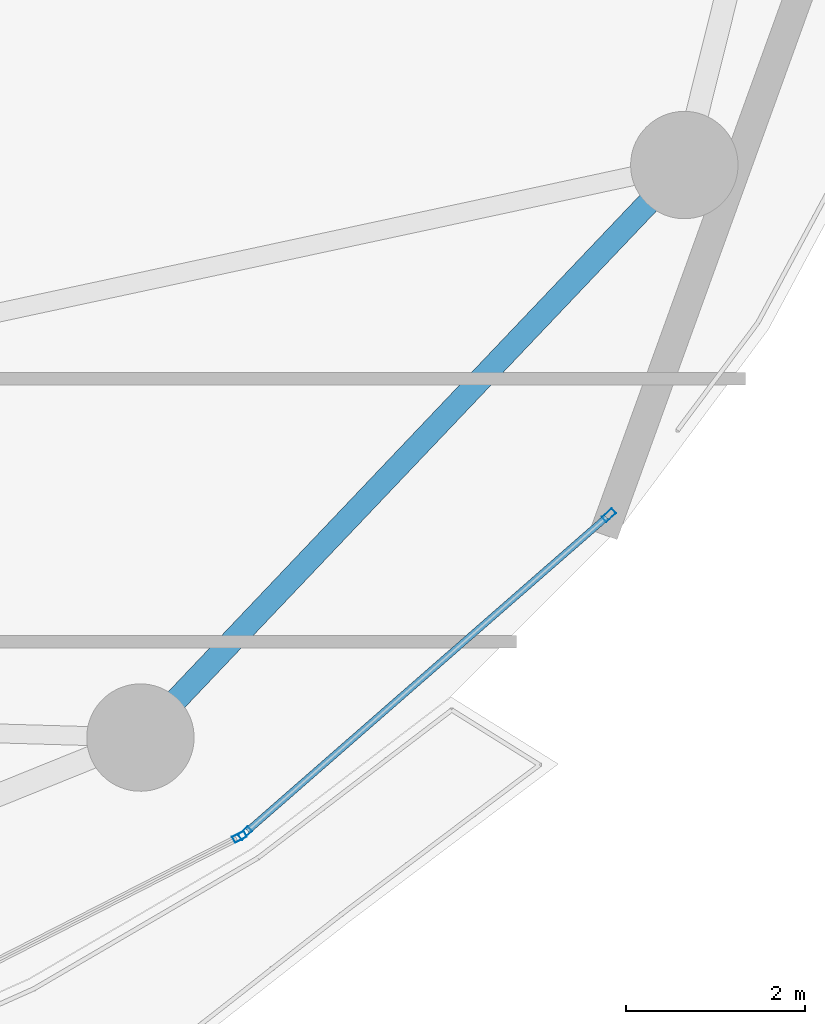
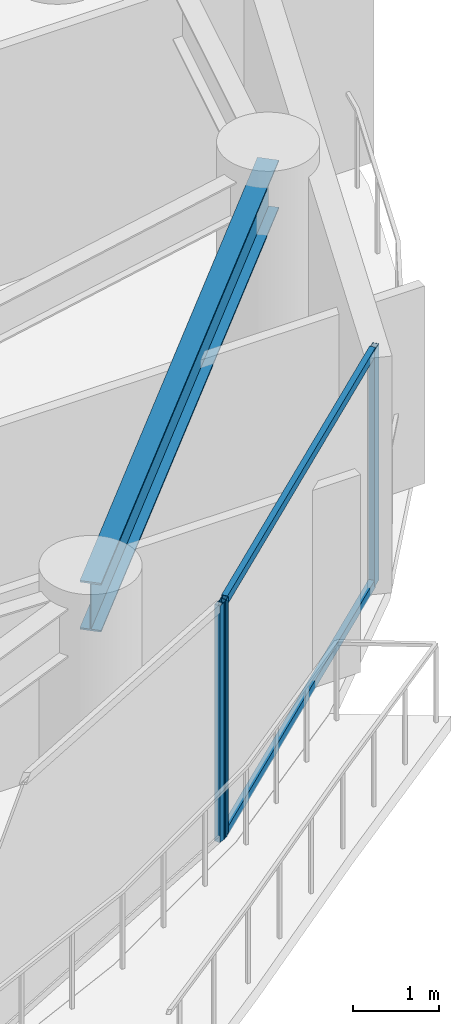
# One storey, part 13 of 28: 5 members, 1 beam, 2 elements without a shape of their own.
"""IFC4 building model written with IfcOpenShell, lengths in metres."""

from ifc_helpers import new_model, si_unit, direction, frame, origin, origin_2d, place, context, subcontext, project, spatial, hollow_rectangle, i_section, extrude, material, layer, layer_set, material_profile, profile_set, type_object, element, aggregate, save


model = new_model("IFC4")

# Units and contexts
model_context = context("Model", 3, precision=1e-05, world=origin(), true_north=direction((0.0, 1.0)))
body_context = subcontext(model_context, "Body", "Model", "MODEL_VIEW")
ifc_project = project(units=[si_unit("LENGTHUNIT", "METRE"), si_unit("AREAUNIT", "SQUARE_METRE"), si_unit("VOLUMEUNIT", "CUBIC_METRE"), si_unit("PLANEANGLEUNIT", "RADIAN"), si_unit("MASSUNIT", "GRAM", prefix="KILO")], contexts=[model_context])

# Site, building, storey
site_placement = place(None, origin())
site = spatial("IfcSite", under=ifc_project, at=site_placement, CompositionType="ELEMENT")
building_placement = place(site_placement, origin())
building = spatial("IfcBuilding", under=site, at=building_placement, Name="Kazevale Care Tower and Concert Hall", CompositionType="ELEMENT")
storey_placement = place(building_placement, frame((0.0, 0.0, 102.60009765625)))
storey = spatial("IfcBuildingStorey", under=building, at=storey_placement, Name="L26", CompositionType="ELEMENT", Elevation=102.60009765625)

# Curtain wall, members
ifc_material_1 = material(Name="Aluminium 6063-T6 and Low-E Glass", Category="aluminium")
ifc_layer = layer(ifc_material_1, 0.179931640625)
ifc_layer_set = layer_set([ifc_layer], Name="Aluminium 6063-T6 and Low-E Glass")
curtain_wall_type = type_object("IfcCurtainWallType", Name="Sheltered Concave Balcony Curtain Wall CW-5", PredefinedType="NOTDEFINED", material=ifc_layer_set)
curtain_wall_1_placement = place(storey_placement, origin())
curtain_wall_1 = element("IfcCurtainWall", 1, at=curtain_wall_1_placement, inside=storey, type_object=curtain_wall_type, Name="cw:L26:f02", PredefinedType="NOTDEFINED")
ifc_material_2 = material(Name="Aluminium 6063-T6", Category="aluminium")
ifc_material_profile_1 = material_profile(ifc_material_2, hollow_rectangle(XDim=0.074951171875, YDim=0.14990234375, WallThickness=0.00390625, at=origin_2d()), Name="ALU75x150x4")
ifc_profile_set_1 = profile_set([ifc_material_profile_1], Name="Aluminium 6063-T6")
member_type_1 = type_object("IfcMemberType", Name="CW-5 Mullion ALU75x150x4", PredefinedType="MULLION", material=ifc_profile_set_1)
member_1_placement = place(storey_placement, frame((70.06787109375, 25.477294921875, 0.0), z_axis=(0.0, 0.0, 1.0), x_axis=(0.657948668382, -0.753062779437, 0.0)))
member_1 = element("IfcMember", 2, at=member_1_placement, type_object=member_type_1, Name="CW-5 mullion 1", PredefinedType="MULLION", context=body_context, shape_type="SweptSolid", body=[
    extrude(hollow_rectangle(XDim=0.074951171875, YDim=0.14990234375, WallThickness=0.00390625, at=origin_2d()), origin(), (0.0, 0.0, 1.0), 3.35986328125),
])
member_2_placement = place(storey_placement, frame((65.999267578125, 21.922607421875, 0.0), z_axis=(0.0, 0.0, 1.0), x_axis=(0.657948668382, -0.753062779437, 0.0)))
member_2 = element("IfcMember", 3, at=member_2_placement, type_object=member_type_1, Name="CW-5 mullion 2", PredefinedType="MULLION", context=body_context, shape_type="SweptSolid", body=[
    extrude(hollow_rectangle(XDim=0.074951171875, YDim=0.14990234375, WallThickness=0.00390625, at=origin_2d()), origin(), (0.0, 0.0, 1.0), 3.35986328125),
])

# Curtain wall, member
curtain_wall_2_placement = place(storey_placement, origin())
curtain_wall_2 = element("IfcCurtainWall", 4, at=curtain_wall_2_placement, inside=storey, type_object=curtain_wall_type, Name="cw:L26:f03", PredefinedType="NOTDEFINED")
member_3_placement = place(storey_placement, frame((65.9375, 21.880859375, 0.0), z_axis=(0.0, 0.0, 1.0), x_axis=(0.455713236575, -0.890126646051, 0.0)))
member_3 = element("IfcMember", 5, at=member_3_placement, type_object=member_type_1, Name="CW-5 mullion 1", PredefinedType="MULLION", context=body_context, shape_type="SweptSolid", body=[
    extrude(hollow_rectangle(XDim=0.074951171875, YDim=0.14990234375, WallThickness=0.00390625, at=origin_2d()), origin(), (0.0, 0.0, 1.0), 3.35986328125),
])
aggregate(curtain_wall_2, [member_3])

# Member
ifc_material_profile_2 = material_profile(ifc_material_2, hollow_rectangle(XDim=0.074951171875, YDim=0.1201171875, WallThickness=0.00390625, at=origin_2d()), Name="ALU75x120x4")
ifc_profile_set_2 = profile_set([ifc_material_profile_2], Name="Aluminium 6063-T6")
member_type_2 = type_object("IfcMemberType", Name="CW-5 Transom ALU75x120x4", PredefinedType="USERDEFINED", material=ifc_profile_set_2)
member_4_placement = place(storey_placement, frame((70.03955078125, 25.45263671875, 0.037353515625), z_axis=(-0.753050570644, -0.657962641837, 0.0), x_axis=(0.657962641837, -0.753050570644, 0.0)))
member_4 = element("IfcMember", 6, at=member_4_placement, type_object=member_type_2, Name="CW-5 transom 1.1", ObjectType="TRANSOM", PredefinedType="USERDEFINED", context=body_context, shape_type="SweptSolid", body=[
    extrude(hollow_rectangle(XDim=0.074951171875, YDim=0.1201171875, WallThickness=0.00390625, at=origin_2d()), origin(), (0.0, 0.0, 1.0), 5.32763671875),
])

member_5_placement = place(storey_placement, frame((70.03955078125, 25.45263671875, 3.322509765625), z_axis=(-0.753050570644, -0.657962641837, 0.0), x_axis=(0.657962641837, -0.753050570644, 0.0)))
member_5 = element("IfcMember", 7, at=member_5_placement, type_object=member_type_2, Name="CW-5 transom 1.2", ObjectType="TRANSOM", PredefinedType="USERDEFINED", context=body_context, shape_type="SweptSolid", body=[
    extrude(hollow_rectangle(XDim=0.074951171875, YDim=0.1201171875, WallThickness=0.00390625, at=origin_2d()), origin(), (0.0, 0.0, 1.0), 5.32763671875),
])

aggregate(curtain_wall_1, [member_1, member_2, member_4, member_5])

# Beam
ifc_material_3 = material(Name="Steel ASTM A572 Gr 50", Category="steel")
ifc_material_profile_3 = material_profile(ifc_material_3, i_section(OverallWidth=0.256103515625, OverallDepth=0.693115234375, WebThickness=0.014404296875, FlangeThickness=0.023681640625, at=origin_2d()), Name="W690x170")
ifc_profile_set_3 = profile_set([ifc_material_profile_3], Name="Steel ASTM A572 Gr 50")
beam_type = type_object("IfcBeamType", Name="Waist Ring Beam W690x170", PredefinedType="BEAM", material=ifc_profile_set_3)
beam_placement = place(storey_placement, frame((64.830078125, 22.989990234375, 3.013427734375), z_axis=(0.688745100728, 0.725003576697, 0.0), x_axis=(-0.725003576697, 0.688745100728, 0.0)))
element("IfcBeam", 8, at=beam_placement, inside=storey, type_object=beam_type, Name="beam:L26:ring:15", PredefinedType="BEAM", context=body_context, shape_type="SweptSolid", body=[
    extrude(i_section(OverallWidth=0.256103515625, OverallDepth=0.693115234375, WebThickness=0.014404296875, FlangeThickness=0.023681640625, at=origin_2d()), origin(), (0.0, 0.0, 1.0), 8.827392578125),
])

save(model, "model.ifc")
